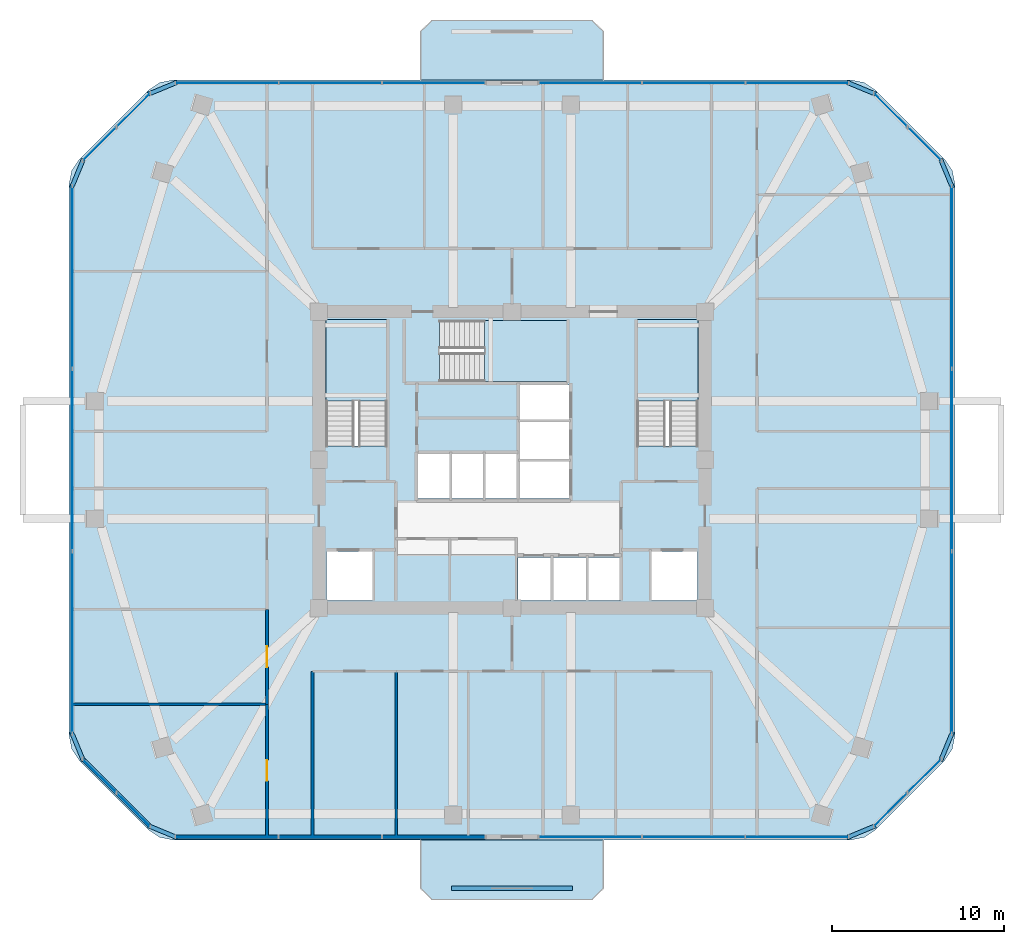
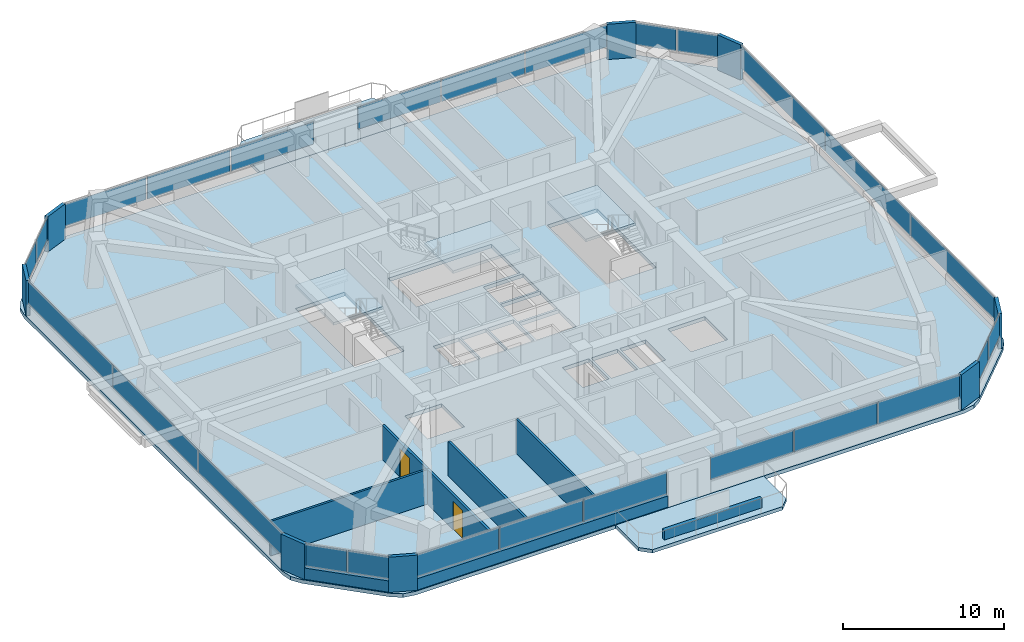
# One storey, part 7 of 13: 34 plates, 8 walls, 6 slabs, 2 doors, 2 openings, 13 elements without a shape of their own.
"""IFC4 building model written with IfcOpenShell, lengths in metres."""

from ifc_helpers import new_model, si_unit, derived_unit, direction, frame, frame_2d, origin, origin_2d, place, context, subcontext, project, spatial, polyline, rectangle, outline, extrude, material, layer, layer_set, type_object, element, fill, aggregate, save


model = new_model("IFC4")

# Units and contexts
model_context = context("Model", 3, precision=1e-05, world=origin(), true_north=direction((0.0, 1.0)))
body_context = subcontext(model_context, "Body", "Model", "MODEL_VIEW")
ifc_project = project(units=[si_unit("LENGTHUNIT", "METRE"), si_unit("AREAUNIT", "SQUARE_METRE"), si_unit("VOLUMEUNIT", "CUBIC_METRE"), si_unit("PLANEANGLEUNIT", "RADIAN"), si_unit("MASSUNIT", "GRAM", prefix="KILO"), derived_unit("THERMALTRANSMITTANCEUNIT", [(si_unit("POWERUNIT", "WATT"), 1), (si_unit("LENGTHUNIT", "METRE"), -2), (si_unit("THERMODYNAMICTEMPERATUREUNIT", "KELVIN"), -1)])], contexts=[model_context])

# Site, building, storey
site_placement = place(None, origin())
site = spatial("IfcSite", under=ifc_project, at=site_placement, CompositionType="ELEMENT")
building_placement = place(site_placement, origin())
building = spatial("IfcBuilding", under=site, at=building_placement, Name="Koralith Skygarden Medical Center", CompositionType="ELEMENT")
storey_placement = place(building_placement, frame((0.0, 0.0, 102.780029296875)))
storey = spatial("IfcBuildingStorey", under=building, at=storey_placement, Name="L26", CompositionType="ELEMENT", Elevation=102.780029296875)

# Curtain wall, plates
ifc_material_1 = material(Name="Clear Laminated Glass", Category="glass")
curtain_wall_type = type_object("IfcCurtainWallType", Name="CW-3 Zone 2 Faceted Solar Curtain Wall", PredefinedType="NOTDEFINED", material=ifc_material_1)
curtain_wall_1_placement = place(storey_placement, origin())
curtain_wall_1 = element("IfcCurtainWall", 1, at=curtain_wall_1_placement, inside=storey, type_object=curtain_wall_type, Name="Curtain Wall CW-L26-S-L", PredefinedType="NOTDEFINED")
ifc_layer_1 = layer(ifc_material_1, 0.033935546875)
ifc_layer_set_1 = layer_set([ifc_layer_1], Name="Clear Laminated Glass")
plate_type_1 = type_object("IfcPlateType", Name="CW-3 Hurricane Laminated IGU Panel 34", PredefinedType="CURTAIN_PANEL", material=ifc_layer_set_1)
plate_1_placement = place(storey_placement, frame((20.462890625, 4.033935546875, 0.919921875), z_axis=(0.0, 0.0, 1.0), x_axis=(1.0, 0.0, 0.0)))
plate_1 = element("IfcPlate", 2, at=plate_1_placement, type_object=plate_type_1, Name="CW-L26-S-L Glazed Panel 1", PredefinedType="CURTAIN_PANEL", context=body_context, shape_type="SweptSolid", body=[
    extrude(rectangle(XDim=5.907958984375, YDim=0.033935546875, at=origin_2d()), origin(), (0.0, 0.0, 1.0), 1.679931640625),
])
plate_2_placement = place(storey_placement, frame((26.4619140625, 4.033935546875, 0.919921875), z_axis=(0.0, 0.0, 1.0), x_axis=(1.0, 0.0, 0.0)))
plate_2 = element("IfcPlate", 3, at=plate_2_placement, type_object=plate_type_1, Name="CW-L26-S-L Glazed Panel 2", PredefinedType="CURTAIN_PANEL", context=body_context, shape_type="SweptSolid", body=[
    extrude(rectangle(XDim=5.907958984375, YDim=0.033935546875, at=origin_2d()), origin(), (0.0, 0.0, 1.0), 1.679931640625),
])
plate_3_placement = place(storey_placement, frame((32.4599609375, 4.033935546875, 0.919921875), z_axis=(0.0, 0.0, 1.0), x_axis=(1.0, 0.0, 0.0)))
plate_3 = element("IfcPlate", 4, at=plate_3_placement, type_object=plate_type_1, Name="CW-L26-S-L Glazed Panel 3", PredefinedType="CURTAIN_PANEL", context=body_context, shape_type="SweptSolid", body=[
    extrude(rectangle(XDim=5.907958984375, YDim=0.033935546875, at=origin_2d()), origin(), (0.0, 0.0, 1.0), 1.679931640625),
])
aggregate(curtain_wall_1, [plate_1, plate_2, plate_3])

curtain_wall_2_placement = place(storey_placement, origin())
curtain_wall_2 = element("IfcCurtainWall", 5, at=curtain_wall_2_placement, inside=storey, type_object=curtain_wall_type, Name="Curtain Wall CW-L26-S-R", PredefinedType="NOTDEFINED")
plate_4_placement = place(storey_placement, frame((41.5380859375, 4.033935546875, 0.919921875), z_axis=(0.0, 0.0, 1.0), x_axis=(1.0, 0.0, 0.0)))
plate_4 = element("IfcPlate", 6, at=plate_4_placement, type_object=plate_type_1, Name="CW-L26-S-R Glazed Panel 1", PredefinedType="CURTAIN_PANEL", context=body_context, shape_type="SweptSolid", body=[
    extrude(rectangle(XDim=5.908935546875, YDim=0.033935546875, at=origin_2d()), origin(), (0.0, 0.0, 1.0), 1.679931640625),
])
plate_5_placement = place(storey_placement, frame((47.5380859375, 4.033935546875, 0.919921875), z_axis=(0.0, 0.0, 1.0), x_axis=(1.0, 0.0, 0.0)))
plate_5 = element("IfcPlate", 7, at=plate_5_placement, type_object=plate_type_1, Name="CW-L26-S-R Glazed Panel 2", PredefinedType="CURTAIN_PANEL", context=body_context, shape_type="SweptSolid", body=[
    extrude(rectangle(XDim=5.908935546875, YDim=0.033935546875, at=origin_2d()), origin(), (0.0, 0.0, 1.0), 1.679931640625),
])
plate_6_placement = place(storey_placement, frame((53.537109375, 4.033935546875, 0.919921875), z_axis=(0.0, 0.0, 1.0), x_axis=(1.0, 0.0, 0.0)))
plate_6 = element("IfcPlate", 8, at=plate_6_placement, type_object=plate_type_1, Name="CW-L26-S-R Glazed Panel 3", PredefinedType="CURTAIN_PANEL", context=body_context, shape_type="SweptSolid", body=[
    extrude(rectangle(XDim=5.908935546875, YDim=0.033935546875, at=origin_2d()), origin(), (0.0, 0.0, 1.0), 1.679931640625),
])
aggregate(curtain_wall_2, [plate_4, plate_5, plate_6])

curtain_wall_3_placement = place(storey_placement, origin())
curtain_wall_3 = element("IfcCurtainWall", 9, at=curtain_wall_3_placement, inside=storey, type_object=curtain_wall_type, Name="Curtain Wall CW-L26-SE", PredefinedType="NOTDEFINED")
plate_7_placement = place(storey_placement, frame((58.968017578125, 5.615966796875, 0.919921875), z_axis=(0.0, 0.0, 1.0), x_axis=(0.707106781187, 0.707106781187, 0.0)))
plate_7 = element("IfcPlate", 10, at=plate_7_placement, type_object=plate_type_1, Name="CW-L26-SE Glazed Panel 1", PredefinedType="CURTAIN_PANEL", context=body_context, shape_type="SweptSolid", body=[
    extrude(rectangle(XDim=2.68408203125, YDim=0.033935546875, at=origin_2d()), origin(), (0.0, 0.0, 1.0), 1.679931640625),
])
plate_8_placement = place(storey_placement, frame((60.928955078125, 7.576904296875, 0.919921875), z_axis=(0.0, 0.0, 1.0), x_axis=(0.707106781187, 0.707106781187, 0.0)))
plate_8 = element("IfcPlate", 11, at=plate_8_placement, type_object=plate_type_1, Name="CW-L26-SE Glazed Panel 2", PredefinedType="CURTAIN_PANEL", context=body_context, shape_type="SweptSolid", body=[
    extrude(rectangle(XDim=2.68408203125, YDim=0.033935546875, at=origin_2d()), origin(), (0.0, 0.0, 1.0), 1.679931640625),
])
aggregate(curtain_wall_3, [plate_7, plate_8])

curtain_wall_4_placement = place(storey_placement, origin())
curtain_wall_4 = element("IfcCurtainWall", 12, at=curtain_wall_4_placement, inside=storey, type_object=curtain_wall_type, Name="Curtain Wall CW-L26-E", PredefinedType="NOTDEFINED")
plate_9_placement = place(storey_placement, frame((62.510986328125, 15.305908203125, 0.919921875), z_axis=(0.0, 0.0, 1.0), x_axis=(0.0, 1.0, 0.0)))
plate_9 = element("IfcPlate", 13, at=plate_9_placement, type_object=plate_type_1, Name="CW-L26-E Glazed Panel 1", PredefinedType="CURTAIN_PANEL", context=body_context, shape_type="SweptSolid", body=[
    extrude(rectangle(XDim=10.50390625, YDim=0.033935546875, at=origin_2d()), origin(), (0.0, 0.0, 1.0), 1.679931640625),
])
plate_10_placement = place(storey_placement, frame((62.510986328125, 25.89990234375, 0.919921875), z_axis=(0.0, 0.0, 1.0), x_axis=(0.0, 1.0, 0.0)))
plate_10 = element("IfcPlate", 14, at=plate_10_placement, type_object=plate_type_1, Name="CW-L26-E Glazed Panel 2", PredefinedType="CURTAIN_PANEL", context=body_context, shape_type="SweptSolid", body=[
    extrude(rectangle(XDim=10.50390625, YDim=0.033935546875, at=origin_2d()), origin(), (0.0, 0.0, 1.0), 1.679931640625),
])
plate_11_placement = place(storey_placement, frame((62.510986328125, 36.493896484375, 0.919921875), z_axis=(0.0, 0.0, 1.0), x_axis=(0.0, 1.0, 0.0)))
plate_11 = element("IfcPlate", 15, at=plate_11_placement, type_object=plate_type_1, Name="CW-L26-E Glazed Panel 3", PredefinedType="CURTAIN_PANEL", context=body_context, shape_type="SweptSolid", body=[
    extrude(rectangle(XDim=10.50390625, YDim=0.033935546875, at=origin_2d()), origin(), (0.0, 0.0, 1.0), 1.679931640625),
])
aggregate(curtain_wall_4, [plate_9, plate_10, plate_11])

curtain_wall_5_placement = place(storey_placement, origin())
curtain_wall_5 = element("IfcCurtainWall", 16, at=curtain_wall_5_placement, inside=storey, type_object=curtain_wall_type, Name="Curtain Wall CW-L26-NE", PredefinedType="NOTDEFINED")
plate_12_placement = place(storey_placement, frame((60.928955078125, 44.222900390625, 0.919921875), z_axis=(0.0, 0.0, 1.0), x_axis=(-0.707106781187, 0.707106781187, 0.0)))
plate_12 = element("IfcPlate", 17, at=plate_12_placement, type_object=plate_type_1, Name="CW-L26-NE Glazed Panel 1", PredefinedType="CURTAIN_PANEL", context=body_context, shape_type="SweptSolid", body=[
    extrude(rectangle(XDim=2.68408203125, YDim=0.033935546875, at=origin_2d()), origin(), (0.0, 0.0, 1.0), 1.679931640625),
])
plate_13_placement = place(storey_placement, frame((58.968017578125, 46.18408203125, 0.919921875), z_axis=(0.0, 0.0, 1.0), x_axis=(-0.707106781187, 0.707106781187, 0.0)))
plate_13 = element("IfcPlate", 18, at=plate_13_placement, type_object=plate_type_1, Name="CW-L26-NE Glazed Panel 2", PredefinedType="CURTAIN_PANEL", context=body_context, shape_type="SweptSolid", body=[
    extrude(rectangle(XDim=2.68408203125, YDim=0.033935546875, at=origin_2d()), origin(), (0.0, 0.0, 1.0), 1.679931640625),
])
aggregate(curtain_wall_5, [plate_12, plate_13])

curtain_wall_6_placement = place(storey_placement, origin())
curtain_wall_6 = element("IfcCurtainWall", 19, at=curtain_wall_6_placement, inside=storey, type_object=curtain_wall_type, Name="Curtain Wall CW-L26-N-L", PredefinedType="NOTDEFINED")
plate_14_placement = place(storey_placement, frame((53.537109375, 47.76611328125, 0.919921875), z_axis=(0.0, 0.0, 1.0), x_axis=(-1.0, 0.0, 0.0)))
plate_14 = element("IfcPlate", 20, at=plate_14_placement, type_object=plate_type_1, Name="CW-L26-N-L Glazed Panel 1", PredefinedType="CURTAIN_PANEL", context=body_context, shape_type="SweptSolid", body=[
    extrude(rectangle(XDim=5.907958984375, YDim=0.033935546875, at=origin_2d()), origin(), (0.0, 0.0, 1.0), 1.679931640625),
])
plate_15_placement = place(storey_placement, frame((47.5380859375, 47.76611328125, 0.919921875), z_axis=(0.0, 0.0, 1.0), x_axis=(-1.0, 0.0, 0.0)))
plate_15 = element("IfcPlate", 21, at=plate_15_placement, type_object=plate_type_1, Name="CW-L26-N-L Glazed Panel 2", PredefinedType="CURTAIN_PANEL", context=body_context, shape_type="SweptSolid", body=[
    extrude(rectangle(XDim=5.907958984375, YDim=0.033935546875, at=origin_2d()), origin(), (0.0, 0.0, 1.0), 1.679931640625),
])
plate_16_placement = place(storey_placement, frame((41.5400390625, 47.76611328125, 0.919921875), z_axis=(0.0, 0.0, 1.0), x_axis=(-1.0, 0.0, 0.0)))
plate_16 = element("IfcPlate", 22, at=plate_16_placement, type_object=plate_type_1, Name="CW-L26-N-L Glazed Panel 3", PredefinedType="CURTAIN_PANEL", context=body_context, shape_type="SweptSolid", body=[
    extrude(rectangle(XDim=5.907958984375, YDim=0.033935546875, at=origin_2d()), origin(), (0.0, 0.0, 1.0), 1.679931640625),
])
aggregate(curtain_wall_6, [plate_14, plate_15, plate_16])

curtain_wall_7_placement = place(storey_placement, origin())
curtain_wall_7 = element("IfcCurtainWall", 23, at=curtain_wall_7_placement, inside=storey, type_object=curtain_wall_type, Name="Curtain Wall CW-L26-N-R", PredefinedType="NOTDEFINED")
plate_17_placement = place(storey_placement, frame((32.4619140625, 47.76611328125, 0.919921875), z_axis=(0.0, 0.0, 1.0), x_axis=(-1.0, 0.0, 0.0)))
plate_17 = element("IfcPlate", 24, at=plate_17_placement, type_object=plate_type_1, Name="CW-L26-N-R Glazed Panel 1", PredefinedType="CURTAIN_PANEL", context=body_context, shape_type="SweptSolid", body=[
    extrude(rectangle(XDim=5.908935546875, YDim=0.033935546875, at=origin_2d()), origin(), (0.0, 0.0, 1.0), 1.679931640625),
])
plate_18_placement = place(storey_placement, frame((26.4619140625, 47.76611328125, 0.919921875), z_axis=(0.0, 0.0, 1.0), x_axis=(-1.0, 0.0, 0.0)))
plate_18 = element("IfcPlate", 25, at=plate_18_placement, type_object=plate_type_1, Name="CW-L26-N-R Glazed Panel 2", PredefinedType="CURTAIN_PANEL", context=body_context, shape_type="SweptSolid", body=[
    extrude(rectangle(XDim=5.908935546875, YDim=0.033935546875, at=origin_2d()), origin(), (0.0, 0.0, 1.0), 1.679931640625),
])
plate_19_placement = place(storey_placement, frame((20.462890625, 47.76611328125, 0.919921875), z_axis=(0.0, 0.0, 1.0), x_axis=(-1.0, 0.0, 0.0)))
plate_19 = element("IfcPlate", 26, at=plate_19_placement, type_object=plate_type_1, Name="CW-L26-N-R Glazed Panel 3", PredefinedType="CURTAIN_PANEL", context=body_context, shape_type="SweptSolid", body=[
    extrude(rectangle(XDim=5.908935546875, YDim=0.033935546875, at=origin_2d()), origin(), (0.0, 0.0, 1.0), 1.679931640625),
])
aggregate(curtain_wall_7, [plate_17, plate_18, plate_19])

curtain_wall_8_placement = place(storey_placement, origin())
curtain_wall_8 = element("IfcCurtainWall", 27, at=curtain_wall_8_placement, inside=storey, type_object=curtain_wall_type, Name="Curtain Wall CW-L26-NW", PredefinedType="NOTDEFINED")
plate_20_placement = place(storey_placement, frame((15.031982421875, 46.18408203125, 0.919921875), z_axis=(0.0, 0.0, 1.0), x_axis=(-0.707106781187, -0.707106781187, 0.0)))
plate_20 = element("IfcPlate", 28, at=plate_20_placement, type_object=plate_type_1, Name="CW-L26-NW Glazed Panel 1", PredefinedType="CURTAIN_PANEL", context=body_context, shape_type="SweptSolid", body=[
    extrude(rectangle(XDim=2.68408203125, YDim=0.033935546875, at=origin_2d()), origin(), (0.0, 0.0, 1.0), 1.679931640625),
])
plate_21_placement = place(storey_placement, frame((13.071044921875, 44.222900390625, 0.919921875), z_axis=(0.0, 0.0, 1.0), x_axis=(-0.707106781187, -0.707106781187, 0.0)))
plate_21 = element("IfcPlate", 29, at=plate_21_placement, type_object=plate_type_1, Name="CW-L26-NW Glazed Panel 2", PredefinedType="CURTAIN_PANEL", context=body_context, shape_type="SweptSolid", body=[
    extrude(rectangle(XDim=2.68408203125, YDim=0.033935546875, at=origin_2d()), origin(), (0.0, 0.0, 1.0), 1.679931640625),
])
aggregate(curtain_wall_8, [plate_20, plate_21])

curtain_wall_9_placement = place(storey_placement, origin())
curtain_wall_9 = element("IfcCurtainWall", 30, at=curtain_wall_9_placement, inside=storey, type_object=curtain_wall_type, Name="Curtain Wall CW-L26-W", PredefinedType="NOTDEFINED")
plate_22_placement = place(storey_placement, frame((11.489013671875, 36.493896484375, 0.919921875), z_axis=(0.0, 0.0, 1.0), x_axis=(0.0, -1.0, 0.0)))
plate_22 = element("IfcPlate", 31, at=plate_22_placement, type_object=plate_type_1, Name="CW-L26-W Glazed Panel 1", PredefinedType="CURTAIN_PANEL", context=body_context, shape_type="SweptSolid", body=[
    extrude(rectangle(XDim=10.50390625, YDim=0.033935546875, at=origin_2d()), origin(), (0.0, 0.0, 1.0), 1.679931640625),
])
plate_23_placement = place(storey_placement, frame((11.489013671875, 25.89990234375, 0.919921875), z_axis=(0.0, 0.0, 1.0), x_axis=(0.0, -1.0, 0.0)))
plate_23 = element("IfcPlate", 32, at=plate_23_placement, type_object=plate_type_1, Name="CW-L26-W Glazed Panel 2", PredefinedType="CURTAIN_PANEL", context=body_context, shape_type="SweptSolid", body=[
    extrude(rectangle(XDim=10.50390625, YDim=0.033935546875, at=origin_2d()), origin(), (0.0, 0.0, 1.0), 1.679931640625),
])
plate_24_placement = place(storey_placement, frame((11.489013671875, 15.305908203125, 0.919921875), z_axis=(0.0, 0.0, 1.0), x_axis=(0.0, -1.0, 0.0)))
plate_24 = element("IfcPlate", 33, at=plate_24_placement, type_object=plate_type_1, Name="CW-L26-W Glazed Panel 3", PredefinedType="CURTAIN_PANEL", context=body_context, shape_type="SweptSolid", body=[
    extrude(rectangle(XDim=10.50390625, YDim=0.033935546875, at=origin_2d()), origin(), (0.0, 0.0, 1.0), 1.679931640625),
])
aggregate(curtain_wall_9, [plate_22, plate_23, plate_24])

curtain_wall_10_placement = place(storey_placement, origin())
curtain_wall_10 = element("IfcCurtainWall", 34, at=curtain_wall_10_placement, inside=storey, type_object=curtain_wall_type, Name="Curtain Wall CW-L26-SW", PredefinedType="NOTDEFINED")
plate_25_placement = place(storey_placement, frame((13.071044921875, 7.576904296875, 0.919921875), z_axis=(0.0, 0.0, 1.0), x_axis=(0.707106781187, -0.707106781187, 0.0)))
plate_25 = element("IfcPlate", 35, at=plate_25_placement, type_object=plate_type_1, Name="CW-L26-SW Glazed Panel 1", PredefinedType="CURTAIN_PANEL", context=body_context, shape_type="SweptSolid", body=[
    extrude(rectangle(XDim=2.68408203125, YDim=0.033935546875, at=origin_2d()), origin(), (0.0, 0.0, 1.0), 1.679931640625),
])
plate_26_placement = place(storey_placement, frame((15.031982421875, 5.615966796875, 0.919921875), z_axis=(0.0, 0.0, 1.0), x_axis=(0.707106781187, -0.707106781187, 0.0)))
plate_26 = element("IfcPlate", 36, at=plate_26_placement, type_object=plate_type_1, Name="CW-L26-SW Glazed Panel 2", PredefinedType="CURTAIN_PANEL", context=body_context, shape_type="SweptSolid", body=[
    extrude(rectangle(XDim=2.68408203125, YDim=0.033935546875, at=origin_2d()), origin(), (0.0, 0.0, 1.0), 1.679931640625),
])
aggregate(curtain_wall_10, [plate_25, plate_26])

# Slabs
ifc_material_2 = material(Name="Concrete C45/55", Category="concrete")
ifc_layer_2 = layer(ifc_material_2, 0.260009765625)
ifc_layer_set_2 = layer_set([ifc_layer_2], Name="Concrete C45/55")
slab_type_1 = type_object("IfcSlabType", Name="Cantilevered Planted Balcony Slab 260", PredefinedType="FLOOR", material=ifc_layer_set_2)
slab_1_placement = place(storey_placement, frame((0.0, 0.0, -0.260009765625)))
element("IfcSlab", 37, at=slab_1_placement, inside=storey, type_object=slab_type_1, Name="L26 N Planted Sky-Garden Balcony Slab", PredefinedType="FLOOR", context=body_context, shape_type="SweptSolid", body=[
    extrude(outline(polyline([(31.699951171875, 47.946044921875), (42.300048828125, 47.946044921875), (42.300048828125, 50.74609375), (41.64990234375, 51.39599609375), (32.35009765625, 51.39599609375), (31.699951171875, 50.74609375), (31.699951171875, 47.946044921875)])), origin(), (0.0, 0.0, 1.0), 0.260009765625),
])
slab_2_placement = place(storey_placement, frame((0.0, 0.0, -0.260009765625)))
element("IfcSlab", 38, at=slab_2_placement, inside=storey, type_object=slab_type_1, Name="L26 S Planted Sky-Garden Balcony Slab", PredefinedType="FLOOR", context=body_context, shape_type="SweptSolid", body=[
    extrude(outline(polyline([(32.35009765625, 0.404052734375), (41.64990234375, 0.404052734375), (42.300048828125, 1.053955078125), (42.300048828125, 3.85400390625), (31.699951171875, 3.85400390625), (31.699951171875, 1.053955078125), (32.35009765625, 0.404052734375)])), origin(), (0.0, 0.0, 1.0), 0.260009765625),
])

# Stair, slab
stair_type = type_object("IfcStairType", Name="Core Exit Dogleg Concrete Stair", PredefinedType="HALF_TURN_STAIR", material=ifc_material_2)
stair_1_placement = place(storey_placement, origin())
stair_1 = element("IfcStair", 39, at=stair_1_placement, inside=storey, type_object=stair_type, Name="L26 Smokeproof Exit Stair ST1", PredefinedType="HALF_TURN_STAIR")
ifc_layer_3 = layer(ifc_material_2, 0.199951171875)
ifc_layer_set_3 = layer_set([ifc_layer_3], Name="Concrete C45/55")
slab_type_2 = type_object("IfcSlabType", Name="Core Exit Concrete Stair Landing 200", PredefinedType="LANDING", material=ifc_layer_set_3)
slab_3_placement = place(storey_placement, frame((0.0, 0.0, 1.599853515625)))
slab_3 = element("IfcSlab", 40, at=slab_3_placement, type_object=slab_type_2, Name="ST1 landing 1", PredefinedType="LANDING", context=body_context, shape_type="SweptSolid", body=[
    extrude(outline(polyline([(29.75, 29.31005859375), (29.75, 34.050048828125), (26.199951171875, 34.050048828125), (26.199951171875, 29.31005859375), (29.75, 29.31005859375)])), origin(), (0.0, 0.0, 1.0), 0.2001953125),
])
aggregate(stair_1, [slab_3])

stair_2_placement = place(storey_placement, origin())
stair_2 = element("IfcStair", 41, at=stair_2_placement, inside=storey, type_object=stair_type, Name="L26 Smokeproof Exit Stair ST2", PredefinedType="HALF_TURN_STAIR")
slab_4_placement = place(storey_placement, frame((0.0, 0.0, 1.599853515625)))
slab_4 = element("IfcSlab", 42, at=slab_4_placement, type_object=slab_type_2, Name="ST2 landing 1", PredefinedType="LANDING", context=body_context, shape_type="SweptSolid", body=[
    extrude(outline(polyline([(47.800048828125, 29.31005859375), (47.800048828125, 34.050048828125), (44.25, 34.050048828125), (44.25, 29.31005859375), (47.800048828125, 29.31005859375)])), origin(), (0.0, 0.0, 1.0), 0.2001953125),
])
aggregate(stair_2, [slab_4])

stair_3_placement = place(storey_placement, origin())
stair_3 = element("IfcStair", 43, at=stair_3_placement, inside=storey, type_object=stair_type, Name="L26 Smokeproof Exit Stair ST3", PredefinedType="HALF_TURN_STAIR")
slab_5_placement = place(storey_placement, frame((0.0, 0.0, 1.599853515625)))
slab_5 = element("IfcSlab", 44, at=slab_5_placement, type_object=slab_type_2, Name="ST3 landing 1", PredefinedType="LANDING", context=body_context, shape_type="SweptSolid", body=[
    extrude(outline(polyline([(35.409912109375, 30.449951171875), (40.199951171875, 30.449951171875), (40.199951171875, 34.0), (35.409912109375, 34.0), (35.409912109375, 30.449951171875)])), origin(), (0.0, 0.0, 1.0), 0.2001953125),
])
aggregate(stair_3, [slab_5])

# Slab
ifc_layer_4 = layer(ifc_material_2, 0.280029296875)
ifc_layer_set_4 = layer_set([ifc_layer_4], Name="Concrete C45/55")
slab_type_3 = type_object("IfcSlabType", Name="Post-Tensioned Ward Floor Plate 280", PredefinedType="FLOOR", material=ifc_layer_set_4)
slab_6_placement = place(storey_placement, frame((0.0, 0.0, -0.280029296875)))
element("IfcSlab", 45, at=slab_6_placement, inside=storey, type_object=slab_type_3, Name="Level L26 Structural Floor Slab", PredefinedType="FLOOR", context=body_context, shape_type="SweptSolid", body=[
    extrude(outline(polyline([(15.923095703125, 4.43994140625), (16.572021484375, 4.006103515625), (17.3369140625, 3.85400390625), (56.6630859375, 3.85400390625), (57.427978515625, 4.006103515625), (58.076904296875, 4.43994140625), (62.10498046875, 8.468017578125), (62.5390625, 9.116943359375), (62.69091796875, 9.882080078125), (62.69091796875, 41.91796875), (62.5390625, 42.68310546875), (62.10498046875, 43.33203125), (58.076904296875, 47.360107421875), (57.427978515625, 47.7939453125), (56.6630859375, 47.946044921875), (17.3369140625, 47.946044921875), (16.572021484375, 47.7939453125), (15.923095703125, 47.360107421875), (11.89501953125, 43.33203125), (11.4609375, 42.68310546875), (11.30908203125, 41.91796875), (11.30908203125, 9.882080078125), (11.4609375, 9.116943359375), (11.89501953125, 8.468017578125), (15.923095703125, 4.43994140625)]), holes=[polyline([(26.199951171875, 26.705078125), (29.75, 26.705078125), (29.75, 34.050048828125), (26.199951171875, 34.050048828125), (26.199951171875, 26.705078125)]), polyline([(44.25, 26.705078125), (47.800048828125, 26.705078125), (47.800048828125, 34.050048828125), (44.25, 34.050048828125), (44.25, 26.705078125)]), polyline([(32.804931640625, 30.449951171875), (40.199951171875, 30.449951171875), (40.199951171875, 34.0), (32.804931640625, 34.0), (32.804931640625, 30.449951171875)]), polyline([(26.25, 17.75), (28.89990234375, 17.75), (28.89990234375, 20.60009765625), (26.25, 20.60009765625), (26.25, 17.75)]), polyline([(45.10009765625, 17.75), (47.75, 17.75), (47.75, 20.60009765625), (45.10009765625, 20.60009765625), (45.10009765625, 17.75)]), polyline([(37.35009765625, 17.75), (39.25, 17.75), (39.25, 20.25), (37.35009765625, 20.25), (37.35009765625, 17.75)]), polyline([(39.39990234375, 17.75), (41.300048828125, 17.75), (41.300048828125, 20.25), (39.39990234375, 20.25), (39.39990234375, 17.75)]), polyline([(41.449951171875, 17.75), (43.300048828125, 17.75), (43.300048828125, 20.25), (41.449951171875, 20.25), (41.449951171875, 17.75)]), polyline([(31.550048828125, 23.64990234375), (33.39990234375, 23.64990234375), (33.39990234375, 26.25), (31.550048828125, 26.25), (31.550048828125, 23.64990234375)]), polyline([(33.5, 23.64990234375), (35.35009765625, 23.64990234375), (35.35009765625, 26.25), (33.5, 26.25), (33.5, 23.64990234375)]), polyline([(35.449951171875, 23.64990234375), (37.300048828125, 23.64990234375), (37.300048828125, 26.25), (35.449951171875, 26.25), (35.449951171875, 23.64990234375)]), polyline([(37.449951171875, 23.64990234375), (40.300048828125, 23.64990234375), (40.300048828125, 25.800048828125), (37.449951171875, 25.800048828125), (37.449951171875, 23.64990234375)]), polyline([(37.449951171875, 25.949951171875), (40.300048828125, 25.949951171875), (40.300048828125, 28.10009765625), (37.449951171875, 28.10009765625), (37.449951171875, 25.949951171875)]), polyline([(37.449951171875, 28.25), (40.300048828125, 28.25), (40.300048828125, 30.25), (37.449951171875, 30.25), (37.449951171875, 28.25)])]), origin(), (0.0, 0.0, 1.0), 0.280029296875),
])

# Plates
ifc_material_3 = material(Name="Warm Oolitic Limestone Cladding", Category="masonry")
ifc_layer_5 = layer(ifc_material_3, 0.239990234375)
ifc_layer_set_5 = layer_set([ifc_layer_5], Name="Warm Oolitic Limestone Cladding")
plate_type_2 = type_object("IfcPlateType", Name="Rounded-Corner Oolitic Limestone Cladding Panel 240", PredefinedType="USERDEFINED", material=ifc_layer_set_5)
for number, where, z_axis, x_axis, name in (
    (46, (57.260986328125, 4.3349609375, 0.0), (0.0, 0.0, 1.0), (0.92388487569, 0.382670532536, 0.0), "L26 Rounded-Corner Limestone Pier 1"),
    (47, (62.2099609375, 9.283935546875, 0.0), (0.0, 0.0, 1.0), (0.382670532536, 0.92388487569, 0.0), "L26 Rounded-Corner Limestone Pier 2"),
    (48, (62.2099609375, 42.51611328125, 0.0), (0.0, 0.0, 1.0), (-0.382670532536, 0.92388487569, 0.0), "L26 Rounded-Corner Limestone Pier 3"),
    (49, (57.260986328125, 47.465087890625, 0.0), (0.0, 0.0, 1.0), (-0.92388487569, 0.382670532536, 0.0), "L26 Rounded-Corner Limestone Pier 4"),
    (50, (16.739013671875, 47.465087890625, 0.0), (0.0, 0.0, 1.0), (-0.92388487569, -0.382670532536, 0.0), "L26 Rounded-Corner Limestone Pier 5"),
    (51, (11.7900390625, 42.51611328125, 0.0), (0.0, 0.0, 1.0), (-0.382670532536, -0.92388487569, 0.0), "L26 Rounded-Corner Limestone Pier 6"),
    (52, (11.7900390625, 9.283935546875, 0.0), (0.0, 0.0, 1.0), (0.382670532536, -0.92388487569, 0.0), "L26 Rounded-Corner Limestone Pier 7"),
    (53, (16.739013671875, 4.3349609375, 0.0), (0.0, 0.0, 1.0), (0.92388487569, -0.382670532536, 0.0), "L26 Rounded-Corner Limestone Pier 8"),
):
    element("IfcPlate", number, at=place(storey_placement, frame(where, z_axis=z_axis, x_axis=x_axis)), inside=storey, type_object=plate_type_2, Name=name, ObjectType="LIMESTONE CLADDING", PredefinedType="USERDEFINED", context=body_context, shape_type="SweptSolid", body=[
        extrude(rectangle(XDim=1.81103515625, YDim=0.239990234375, at=origin_2d()), origin(), (0.0, 0.0, 1.0), 2.669921875),
    ])

# Walls
ifc_material_4 = material(Name="Gypsum Board Partition")
ifc_layer_6 = layer(ifc_material_4, 0.14990234375)
ifc_layer_set_6 = layer_set([ifc_layer_6], Name="Gypsum Board Partition")
wall_type_1 = type_object("IfcWallType", Name="Clinical Acoustic Partition 150", PredefinedType="PARTITIONING", material=ifc_layer_set_6)
wall_1_placement = place(storey_placement, frame((30.294921875, 13.639892578125, 0.0), z_axis=(0.0, 0.0, 1.0), x_axis=(0.0, -1.0, 0.0)))
element("IfcWall", 54, at=wall_1_placement, inside=storey, type_object=wall_type_1, Name="L26 Clinical Acoustic Partition 150 W-PART-L26-S-01", PredefinedType="PARTITIONING", context=body_context, shape_type="SweptSolid", body=[
    extrude(rectangle(XDim=9.5859375, YDim=0.14990234375, at=frame_2d((4.79296875, 0.0))), origin(), (0.0, 0.0, 1.0), 2.60986328125),
])
wall_2_placement = place(storey_placement, frame((22.7900390625, 11.72509765625, 0.0), z_axis=(0.0, 0.0, 1.0), x_axis=(-1.0, 0.0, 0.0)))
element("IfcWall", 55, at=wall_2_placement, inside=storey, type_object=wall_type_1, Name="L26 Clinical Acoustic Partition 150 W-PART-L26-WS-01", PredefinedType="PARTITIONING", context=body_context, shape_type="SweptSolid", body=[
    extrude(rectangle(XDim=11.281005859375, YDim=0.14990234375, at=frame_2d((5.640625, 0.0))), origin(), (0.0, 0.0, 1.0), 2.60986328125),
])
ifc_layer_7 = layer(ifc_material_4, 0.1650390625)
ifc_layer_set_7 = layer_set([ifc_layer_7], Name="Gypsum Board Partition")
wall_type_2 = type_object("IfcWallType", Name="Clinical Corridor Partition 165", PredefinedType="PARTITIONING", material=ifc_layer_set_7)
wall_3_placement = place(storey_placement, frame((25.429931640625, 4.053955078125, 0.0), z_axis=(0.0, 0.0, 1.0), x_axis=(0.0, 1.0, 0.0)))
element("IfcWall", 56, at=wall_3_placement, inside=storey, type_object=wall_type_2, Name="L26 Clinical Corridor Partition 165 W-HCOR-L26-SW", PredefinedType="PARTITIONING", context=body_context, shape_type="SweptSolid", body=[
    extrude(rectangle(XDim=9.5859375, YDim=0.1650390625, at=frame_2d((4.79296875, 0.0))), origin(), (0.0, 0.0, 1.0), 2.60986328125),
])

# Wall, opening, door
wall_4_placement = place(storey_placement, frame((22.7900390625, 4.053955078125, 0.0), z_axis=(0.0, 0.0, 1.0), x_axis=(0.0, 1.0, 0.0)))
wall_4 = element("IfcWall", 57, at=wall_4_placement, inside=storey, type_object=wall_type_2, Name="L26 Clinical Corridor Partition 165 W-CORR-L26-WS-01", PredefinedType="PARTITIONING", context=body_context, shape_type="SweptSolid", body=[
    extrude(rectangle(XDim=7.671142578125, YDim=0.1650390625, at=frame_2d((3.83544921875, 0.0))), origin(), (0.0, 0.0, 1.0), 2.60986328125),
])
opening_1_placement = place(wall_4_placement, frame((3.235107421875, 0.0, 0.0)))
opening_1 = element("IfcOpeningElement", 58, at=opening_1_placement, cuts=wall_4, Name="Opening D-CLN", PredefinedType="OPENING", context=body_context, shape_type="SweptSolid", body=[
    extrude(rectangle(XDim=1.199951171875, YDim=2.14990234375, at=frame_2d((0.60009765625, 1.074951171875))), frame((0.0, 0.092529296875, 0.0), z_axis=(0.0, -1.0, 0.0), x_axis=(1.0, 0.0, 0.0)), (0.0, 0.0, 1.0), 0.18505859375),
])
ifc_material_5 = material(Name="Aluminium 6063-T6", Category="aluminium")
door_type = type_object("IfcDoorType", Name="Clinical Corridor Door D-CLN 1200", OperationType="NOTDEFINED", PredefinedType="DOOR", material=ifc_material_5)
door_1_placement = place(opening_1_placement, frame((1.199951171875, 0.0, 0.0), z_axis=(0.0, 0.0, 1.0), x_axis=(-1.0, 0.0, 0.0)))
door_1 = element("IfcDoor", 59, at=door_1_placement, inside=storey, type_object=door_type, Name="L26 Pastoral Counseling Office 10 Door", OperationType="SINGLE_SWING_LEFT", OverallHeight=2.14990234375, OverallWidth=1.199951171875, PredefinedType="DOOR", context=body_context, shape_type="SweptSolid", body=[
    extrude(rectangle(XDim=1.199951171875, YDim=2.14990234375, at=frame_2d((0.60009765625, 1.074951171875))), frame((0.0, 0.02490234375, 0.0), z_axis=(0.0, -1.0, 0.0), x_axis=(1.0, 0.0, 0.0)), (0.0, 0.0, 1.0), 0.050048828125),
])
fill(opening_1, door_1)

wall_5_placement = place(storey_placement, frame((22.7900390625, 11.72509765625, 0.0), z_axis=(0.0, 0.0, 1.0), x_axis=(0.0, 1.0, 0.0)))
wall_5 = element("IfcWall", 60, at=wall_5_placement, inside=storey, type_object=wall_type_2, Name="L26 Clinical Corridor Partition 165 W-CORR-L26-WS-02", PredefinedType="PARTITIONING", context=body_context, shape_type="SweptSolid", body=[
    extrude(rectangle(XDim=5.5068359375, YDim=0.1650390625, at=frame_2d((2.75341796875, 0.0))), origin(), (0.0, 0.0, 1.0), 2.60986328125),
])
opening_2_placement = place(wall_5_placement, frame((2.153076171875, 0.0, 0.0)))
opening_2 = element("IfcOpeningElement", 61, at=opening_2_placement, cuts=wall_5, Name="Opening D-CLN", PredefinedType="OPENING", context=body_context, shape_type="SweptSolid", body=[
    extrude(rectangle(XDim=1.199951171875, YDim=2.14990234375, at=frame_2d((0.60009765625, 1.074951171875))), frame((0.0, 0.092529296875, 0.0), z_axis=(0.0, -1.0, 0.0), x_axis=(1.0, 0.0, 0.0)), (0.0, 0.0, 1.0), 0.18505859375),
])
door_2_placement = place(opening_2_placement, frame((1.199951171875, 0.0, 0.0), z_axis=(0.0, 0.0, 1.0), x_axis=(-1.0, 0.0, 0.0)))
door_2 = element("IfcDoor", 62, at=door_2_placement, inside=storey, type_object=door_type, Name="L26 Palliative Quiet Family Lounge 11 Door", OperationType="SINGLE_SWING_RIGHT", OverallHeight=2.14990234375, OverallWidth=1.199951171875, PredefinedType="DOOR", context=body_context, shape_type="SweptSolid", body=[
    extrude(rectangle(XDim=1.199951171875, YDim=2.14990234375, at=frame_2d((0.60009765625, 1.074951171875))), frame((0.0, 0.02490234375, 0.0), z_axis=(0.0, -1.0, 0.0), x_axis=(1.0, 0.0, 0.0)), (0.0, 0.0, 1.0), 0.050048828125),
])
fill(opening_2, door_2)

# Walls
ifc_layer_8 = layer(ifc_material_3, 0.239990234375)
ifc_layer_set_8 = layer_set([ifc_layer_8], Name="Warm Oolitic Limestone Cladding")
wall_type_3 = type_object("IfcWallType", Name="Limestone Spandrel Sill Backup Wall 240", PredefinedType="SOLIDWALL", material=ifc_layer_set_8)
wall_6_placement = place(storey_placement, frame((17.464111328125, 4.033935546875, 0.0), z_axis=(0.0, 0.0, 1.0), x_axis=(1.0, 0.0, 0.0)))
element("IfcWall", 63, at=wall_6_placement, inside=storey, type_object=wall_type_3, Name="L26 Sill Spandrel S-L", PredefinedType="SOLIDWALL", context=body_context, shape_type="SweptSolid", body=[
    extrude(rectangle(XDim=17.994873046875, YDim=0.239990234375, at=frame_2d((8.99755859375, 0.0))), origin(), (0.0, 0.0, 1.0), 0.849853515625),
])
wall_7_placement = place(storey_placement, frame((12.090087890625, 8.55810546875, 0.0), z_axis=(0.0, 0.0, 1.0), x_axis=(0.707084777957, -0.707128783731, 0.0)))
element("IfcWall", 64, at=wall_7_placement, inside=storey, type_object=wall_type_3, Name="L26 Sill Spandrel SW", PredefinedType="SOLIDWALL", context=body_context, shape_type="SweptSolid", body=[
    extrude(rectangle(XDim=5.5478515625, YDim=0.239990234375, at=frame_2d((2.77392578125, 0.0))), origin(), (0.0, 0.0, 1.0), 0.849853515625),
])
ifc_material_6 = material(Name="Precast concrete C40/50", Category="concrete")
ifc_layer_9 = layer(ifc_material_6, 0.25)
ifc_layer_set_9 = layer_set([ifc_layer_9], Name="Precast concrete C40/50")
wall_type_4 = type_object("IfcWallType", Name="Structural Concrete Balcony Planter Kerb 250", PredefinedType="PARAPET", material=ifc_layer_set_9)
wall_8_placement = place(storey_placement, frame((33.5, 1.053955078125, 0.0), z_axis=(0.0, 0.0, 1.0), x_axis=(1.0, 0.0, 0.0)))
element("IfcWall", 65, at=wall_8_placement, inside=storey, type_object=wall_type_4, Name="L26 S Structural Tree PLANTER Box", PredefinedType="PARAPET", context=body_context, shape_type="SweptSolid", body=[
    extrude(rectangle(XDim=7.0, YDim=0.25, at=frame_2d((3.5, 0.0))), origin(), (0.0, 0.0, 1.0), 0.719970703125),
])

save(model, "model.ifc")
